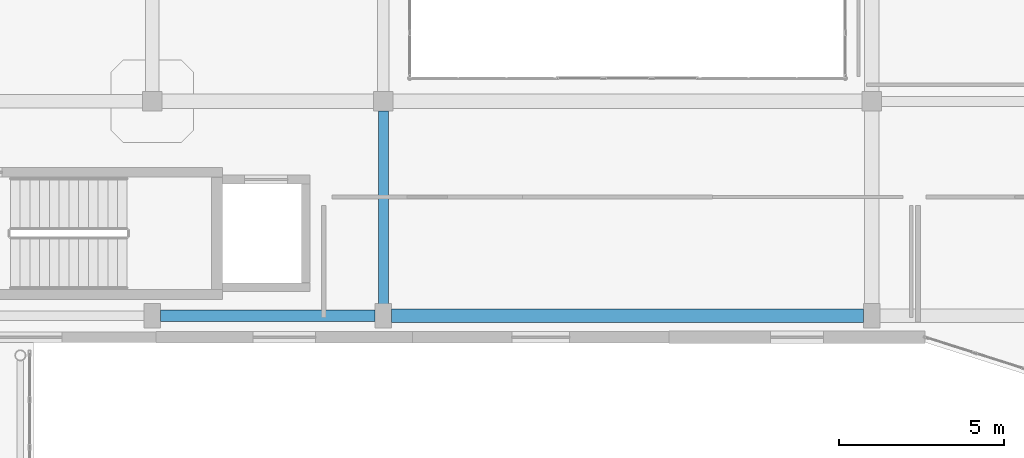
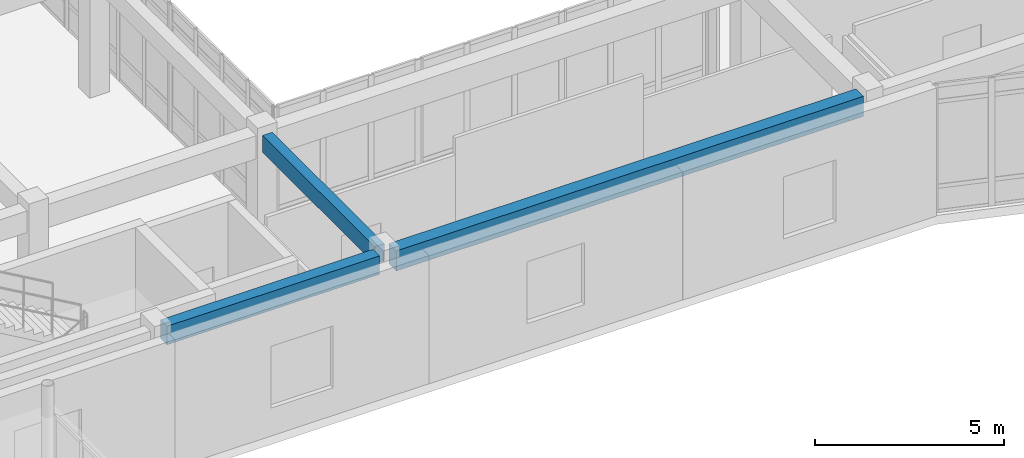
# One storey, part 67 of 142: 3 beams.
"""IFC4 building model written with IfcOpenShell, lengths in metres."""

from ifc_helpers import new_model, si_unit, direction, frame, origin, origin_2d, place, context, subcontext, project, spatial, rectangle, extrude, material, material_profile, profile_set, type_object, element, save


model = new_model("IFC4")

# Units and contexts
model_context = context("Model", 3, precision=1e-05, world=origin(), true_north=direction((0.0, 1.0)))
body_context = subcontext(model_context, "Body", "Model", "MODEL_VIEW")
ifc_project = project(units=[si_unit("LENGTHUNIT", "METRE"), si_unit("AREAUNIT", "SQUARE_METRE"), si_unit("VOLUMEUNIT", "CUBIC_METRE"), si_unit("PLANEANGLEUNIT", "RADIAN"), si_unit("MASSUNIT", "GRAM", prefix="KILO")], contexts=[model_context])

# Site, building, storey
site_placement = place(None, origin())
site = spatial("IfcSite", under=ifc_project, at=site_placement, CompositionType="ELEMENT")
building_placement = place(site_placement, origin())
building = spatial("IfcBuilding", under=site, at=building_placement, Name="Valcora Specialist Clinic", CompositionType="ELEMENT")
storey_placement = place(building_placement, frame((0.0, 0.0, 5.10009765625)))
storey = spatial("IfcBuildingStorey", under=building, at=storey_placement, Name="L01", CompositionType="ELEMENT", Elevation=5.10009765625)

# Beams
ifc_material = material(Name="Concrete C40/50", Category="concrete")
ifc_material_profile_1 = material_profile(ifc_material, rectangle(XDim=0.300048828125, YDim=0.550048828125, at=origin_2d()), Name="RC-BM-300X550")
ifc_profile_set_1 = profile_set([ifc_material_profile_1], Name="Concrete C40/50")
beam_type_1 = type_object("IfcBeamType", Name="TY-BM-RC300X550", PredefinedType="BEAM", material=ifc_profile_set_1)
beam_1_placement = place(storey_placement, frame((76.0, 75.050048828125, 3.869873046875), z_axis=(0.0, 1.0, 0.0), x_axis=(-1.0, 0.0, 0.0)))
element("IfcBeam", 1, at=beam_1_placement, inside=storey, type_object=beam_type_1, Name="Beam BM-L01-0665", PredefinedType="BEAM", context=body_context, shape_type="SweptSolid", body=[
    extrude(rectangle(XDim=0.300048828125, YDim=0.550048828125, at=origin_2d()), origin(), (0.0, 0.0, 1.0), 5.949951171875),
])
ifc_material_profile_2 = material_profile(ifc_material, rectangle(XDim=0.35009765625, YDim=0.60009765625, at=origin_2d()), Name="RC-BM-350X600")
ifc_profile_set_2 = profile_set([ifc_material_profile_2], Name="Concrete C40/50")
beam_type_2 = type_object("IfcBeamType", Name="TY-BM-RC350X600", PredefinedType="BEAM", material=ifc_profile_set_2)
beam_2_placement = place(storey_placement, frame((69.25, 74.800048828125, 3.844970703125), z_axis=(1.0, 0.0, 0.0), x_axis=(0.0, 1.0, 0.0)))
element("IfcBeam", 2, at=beam_2_placement, inside=storey, type_object=beam_type_2, Name="Beam BM-L01-0614", PredefinedType="BEAM", context=body_context, shape_type="SweptSolid", body=[
    extrude(rectangle(XDim=0.35009765625, YDim=0.60009765625, at=origin_2d()), origin(), (0.0, 0.0, 1.0), 6.5),
])
ifc_material_profile_3 = material_profile(ifc_material, rectangle(XDim=0.39990234375, YDim=0.64990234375, at=origin_2d()), Name="RC-BM-400X650")
ifc_profile_set_3 = profile_set([ifc_material_profile_3], Name="Concrete C40/50")
beam_type_3 = type_object("IfcBeamType", Name="TY-BM-RC400X650", PredefinedType="BEAM", material=ifc_profile_set_3)
beam_3_placement = place(storey_placement, frame((76.25, 74.800048828125, 3.81982421875), z_axis=(1.0, 0.0, 0.0), x_axis=(0.0, 1.0, 0.0)))
element("IfcBeam", 3, at=beam_3_placement, inside=storey, type_object=beam_type_3, Name="Beam BM-L01-0615", PredefinedType="BEAM", context=body_context, shape_type="SweptSolid", body=[
    extrude(rectangle(XDim=0.39990234375, YDim=0.64990234375, at=origin_2d()), origin(), (0.0, 0.0, 1.0), 14.300048828125),
])

save(model, "model.ifc")
